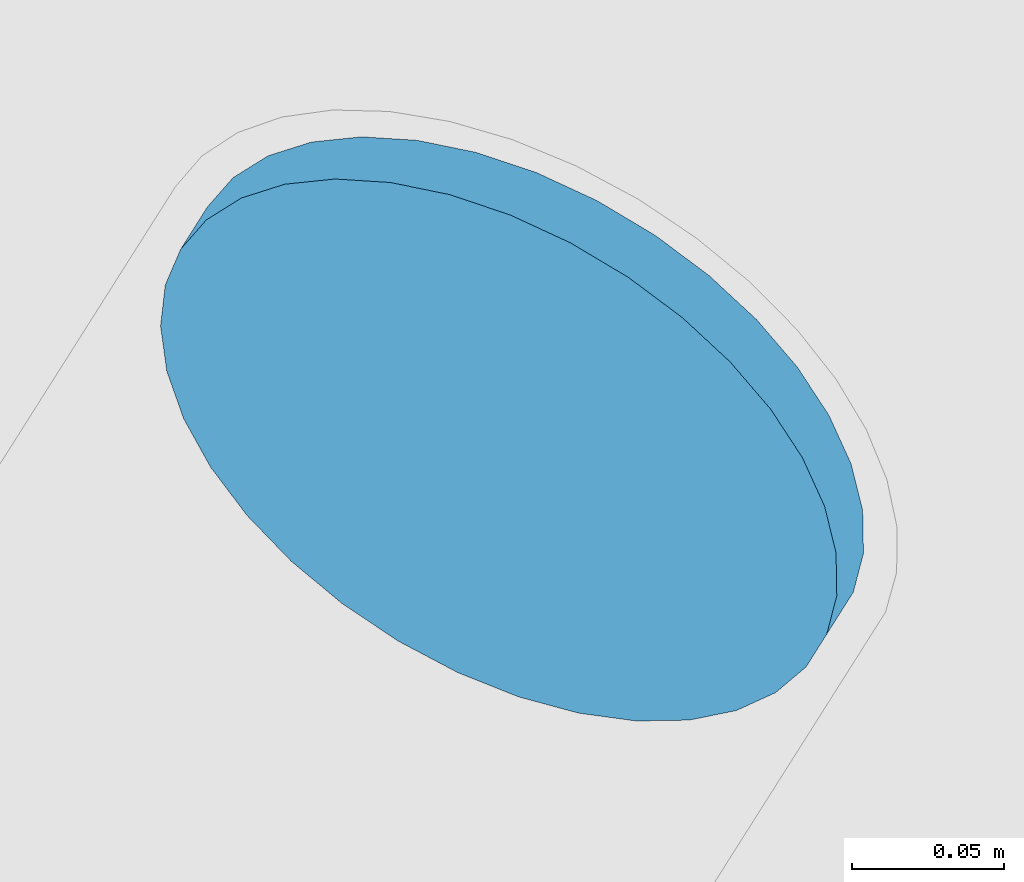
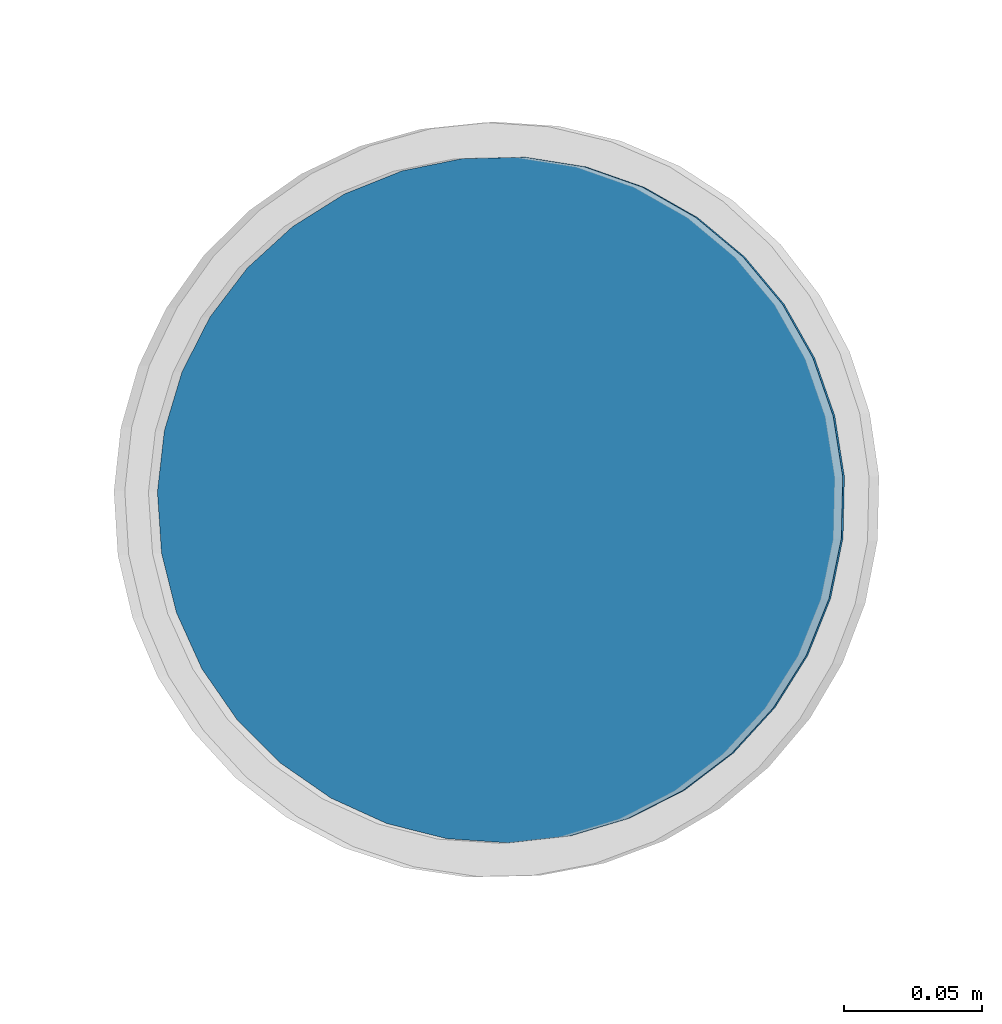
# One storey, part 29 of 37: 1 discrete accessory.
"""IFC4 building model written with IfcOpenShell, lengths in metres."""

from ifc_helpers import new_model, si_unit, direction, frame, origin, origin_2d, place, context, subcontext, project, spatial, circle, extrude, material, material_profile, profile_set, type_object, element, save


model = new_model("IFC4")

# Units and contexts
model_context = context("Model", 3, precision=1e-05, world=origin(), true_north=direction((0.0, 1.0)))
body_context = subcontext(model_context, "Body", "Model", "MODEL_VIEW")
ifc_project = project(units=[si_unit("LENGTHUNIT", "METRE"), si_unit("AREAUNIT", "SQUARE_METRE"), si_unit("VOLUMEUNIT", "CUBIC_METRE"), si_unit("PLANEANGLEUNIT", "RADIAN"), si_unit("MASSUNIT", "GRAM", prefix="KILO")], contexts=[model_context])

# Site, building, storey
site_placement = place(None, origin())
site = spatial("IfcSite", under=ifc_project, at=site_placement, CompositionType="ELEMENT")
building_placement = place(site_placement, origin())
building = spatial("IfcBuilding", under=site, at=building_placement, Name="Rimbun Link Towers", CompositionType="ELEMENT")
storey_placement = place(building_placement, frame((0.0, 0.0, 170.300048828125)))
storey = spatial("IfcBuildingStorey", under=building, at=storey_placement, Name="L41", CompositionType="ELEMENT", Elevation=170.300048828125)

# Discrete accessory
ifc_material = material(Name="Steel S355J2H", Category="steel")
ifc_material_profile = material_profile(ifc_material, circle(Radius=0.1240234375, at=origin_2d()), Name="PL D248")
ifc_profile_set = profile_set([ifc_material_profile], Name="Steel S355J2H")
discrete_accessory_type = type_object("IfcDiscreteAccessoryType", Name="Link foot sealing plate D248X20", PredefinedType="BRACKET", material=ifc_profile_set)
discrete_accessory_placement = place(storey_placement, frame((-39.55859375, 20.57421875, -3.6396484375), z_axis=(0.438048273146, 0.693576432481, -0.571896356607), x_axis=(-0.845488903031, 0.533992991388, 0.0)))
element("IfcDiscreteAccessory", 1, at=discrete_accessory_placement, inside=storey, type_object=discrete_accessory_type, Name="Link foot sealing plate T1 L41 08", PredefinedType="BRACKET", context=body_context, shape_type="SweptSolid", body=[
    extrude(circle(Radius=0.1240234375, at=origin_2d()), origin(), (0.0, 0.0, 1.0), 0.02001953125),
])

save(model, "model.ifc")
